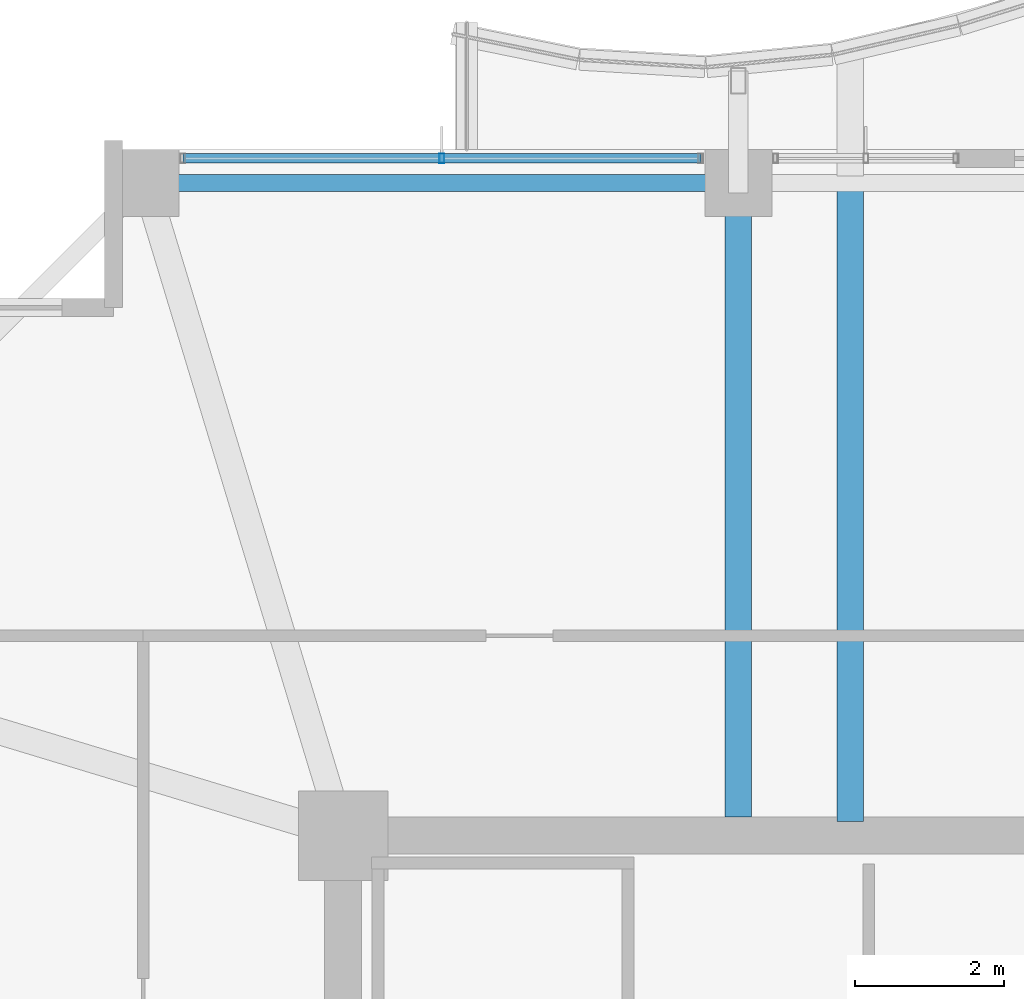
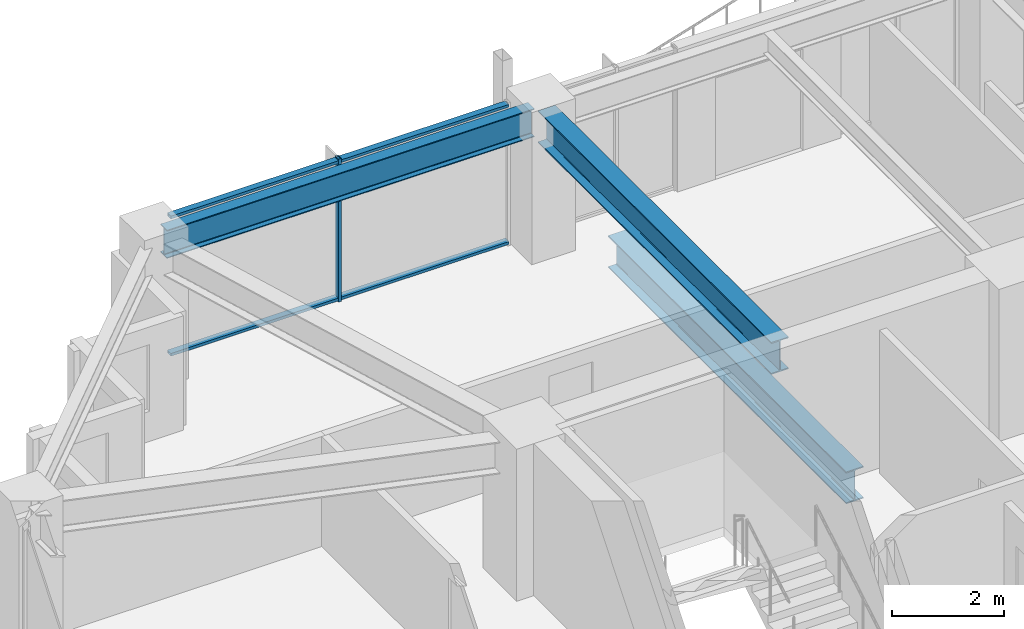
# One storey, part 17 of 34: 3 beams, 3 members, 1 element without a shape of its own.
"""IFC4 building model written with IfcOpenShell, lengths in metres."""

from ifc_helpers import new_model, si_unit, direction, frame, origin, origin_2d, place, context, subcontext, project, spatial, hollow_rectangle, i_section, extrude, material, material_profile, profile_set, type_object, element, aggregate, save


model = new_model("IFC4")

# Units and contexts
model_context = context("Model", 3, precision=1e-05, world=origin(), true_north=direction((0.0, 1.0)))
body_context = subcontext(model_context, "Body", "Model", "MODEL_VIEW")
ifc_project = project(units=[si_unit("LENGTHUNIT", "METRE"), si_unit("AREAUNIT", "SQUARE_METRE"), si_unit("VOLUMEUNIT", "CUBIC_METRE"), si_unit("PLANEANGLEUNIT", "RADIAN"), si_unit("MASSUNIT", "GRAM", prefix="KILO")], contexts=[model_context])

# Site, building, storey
site_placement = place(None, origin())
site = spatial("IfcSite", under=ifc_project, at=site_placement, CompositionType="ELEMENT")
building_placement = place(site_placement, origin())
building = spatial("IfcBuilding", under=site, at=building_placement, Name="Kolvaren Belvedere", CompositionType="ELEMENT")
storey_placement = place(building_placement, frame((0.0, 0.0, 166.800048828125)))
storey = spatial("IfcBuildingStorey", under=building, at=storey_placement, Name="L48", CompositionType="ELEMENT", Elevation=166.800048828125)

# Beams
ifc_material_1 = material(Name="Structural steel ASTM A992 Grade 50", Category="steel")
ifc_material_profile_1 = material_profile(ifc_material_1, i_section(OverallWidth=0.35498046875, OverallDepth=0.696044921875, WebThickness=0.015380859375, FlangeThickness=0.02490234375, FilletRadius=0.02197265625, at=origin_2d()), Name="W27X146")
ifc_profile_set_1 = profile_set([ifc_material_profile_1], Name="Structural steel ASTM A992 Grade 50")
beam_type_1 = type_object("IfcBeamType", Name="BM-GIRD-W27X146", PredefinedType="BEAM", material=ifc_profile_set_1)
beam_1_placement = place(storey_placement, frame((-3.10009765625, 10.090087890625, -0.548095703125), z_axis=(0.0, 1.0, 0.0), x_axis=(-1.0, 0.0, 0.0)))
element("IfcBeam", 1, at=beam_1_placement, inside=storey, type_object=beam_type_1, Name="L48 Balcony Interior Back-Span Girder BAL-N-1", PredefinedType="BEAM", context=body_context, shape_type="SweptSolid", body=[
    extrude(i_section(OverallWidth=0.35498046875, OverallDepth=0.696044921875, WebThickness=0.015380859375, FlangeThickness=0.02490234375, FilletRadius=0.02197265625, at=origin_2d()), origin(), (0.0, 0.0, 1.0), 8.46484375),
])
beam_2_placement = place(storey_placement, frame((-4.60009765625, 10.14990234375, 2.751953125), z_axis=(0.0, 1.0, 0.0), x_axis=(-1.0, 0.0, 0.0)))
element("IfcBeam", 2, at=beam_2_placement, inside=storey, type_object=beam_type_1, Name="L48 North Radial Girder M", PredefinedType="BEAM", context=body_context, shape_type="SweptSolid", body=[
    extrude(i_section(OverallWidth=0.35498046875, OverallDepth=0.696044921875, WebThickness=0.015380859375, FlangeThickness=0.02490234375, FilletRadius=0.02197265625, at=origin_2d()), origin(), (0.0, 0.0, 1.0), 8.297607421875),
])
ifc_material_2 = material(Name="Structural steel ASTM A992 Grade 50", Category="steel")
ifc_material_profile_2 = material_profile(ifc_material_2, i_section(OverallWidth=0.22900390625, OverallDepth=0.612060546875, WebThickness=0.011962890625, FlangeThickness=0.01953125, FilletRadius=0.01806640625, at=origin_2d()), Name="W24X84")
ifc_profile_set_2 = profile_set([ifc_material_profile_2], Name="Structural steel ASTM A992 Grade 50")
beam_type_2 = type_object("IfcBeamType", Name="BM-SPAN-W24X84", PredefinedType="SPANDREL", material=ifc_profile_set_2)
beam_3_placement = place(storey_placement, frame((-4.802490234375, 18.64990234375, 2.7939453125), z_axis=(-1.0, 0.0, 0.0), x_axis=(0.0, -1.0, 0.0)))
element("IfcBeam", 3, at=beam_3_placement, inside=storey, type_object=beam_type_2, Name="L48 Perimeter Spandrel N2-N1", PredefinedType="SPANDREL", context=body_context, shape_type="SweptSolid", body=[
    extrude(i_section(OverallWidth=0.22900390625, OverallDepth=0.612060546875, WebThickness=0.011962890625, FlangeThickness=0.01953125, FilletRadius=0.01806640625, at=origin_2d()), origin(), (0.0, 0.0, 1.0), 7.544921875),
])

# Curtain wall, members
ifc_material_3 = material(Name="Anodised pale-metal aluminium AA 6063-T6", Category="aluminium")
curtain_wall_type = type_object("IfcCurtainWallType", Name="CW-Z3-WAIST", PredefinedType="NOTDEFINED", material=ifc_material_3)
curtain_wall_placement = place(storey_placement, origin())
curtain_wall = element("IfcCurtainWall", 4, at=curtain_wall_placement, inside=storey, type_object=curtain_wall_type, Name="L48 Unitised Curtain Wall FCW-L48-N1-B1", PredefinedType="NOTDEFINED")
ifc_material_4 = material(Name="Anodised pale-metal aluminium AA 6063-T6", Category="aluminium")
ifc_material_profile_3 = material_profile(ifc_material_4, hollow_rectangle(XDim=0.06494140625, YDim=0.1298828125, WallThickness=0.00390625, at=origin_2d()), Name="ALU-MUL-130X65")
ifc_profile_set_3 = profile_set([ifc_material_profile_3], Name="Anodised pale-metal aluminium AA 6063-T6")
member_type_1 = type_object("IfcMemberType", Name="CW-MUL-130", PredefinedType="MULLION", material=ifc_profile_set_3)
member_1_placement = place(storey_placement, frame((-8.574951171875, 18.97998046875, 0.0), z_axis=(0.0, 0.0, 1.0), x_axis=(1.0, 0.0, 0.0)))
member_1 = element("IfcMember", 5, at=member_1_placement, type_object=member_type_1, Name="FCW-L48-N1-B1 Unitised Mullion 2", PredefinedType="MULLION", context=body_context, shape_type="SweptSolid", body=[
    extrude(hollow_rectangle(XDim=0.06494140625, YDim=0.1298828125, WallThickness=0.00390625, at=origin_2d()), origin(), (0.0, 0.0, 1.0), 3.099853515625),
])
ifc_material_5 = material(Name="Anodised pale-metal aluminium AA 6063-T6", Category="aluminium")
ifc_material_profile_4 = material_profile(ifc_material_5, hollow_rectangle(XDim=0.06005859375, YDim=0.1298828125, WallThickness=0.00390625, at=origin_2d()), Name="ALU-TRN-130X60")
ifc_profile_set_4 = profile_set([ifc_material_profile_4], Name="Anodised pale-metal aluminium AA 6063-T6")
member_type_2 = type_object("IfcMemberType", Name="CW-TRN-130", PredefinedType="USERDEFINED", material=ifc_profile_set_4)
member_2_placement = place(storey_placement, frame((-12.047607421875, 18.97998046875, 0.06005859375), z_axis=(1.0, 0.0, 0.0), x_axis=(0.0, 0.0, 1.0)))
member_2 = element("IfcMember", 6, at=member_2_placement, type_object=member_type_2, Name="FCW-L48-N1-B1 Sill Transom", ObjectType="TRANSOM", PredefinedType="USERDEFINED", context=body_context, shape_type="SweptSolid", body=[
    extrude(hollow_rectangle(XDim=0.06005859375, YDim=0.1298828125, WallThickness=0.00390625, at=origin_2d()), origin(), (0.0, 0.0, 1.0), 6.945068359375),
])
member_3_placement = place(storey_placement, frame((-12.047607421875, 18.97998046875, 3.0400390625), z_axis=(1.0, 0.0, 0.0), x_axis=(0.0, 0.0, 1.0)))
member_3 = element("IfcMember", 7, at=member_3_placement, type_object=member_type_2, Name="FCW-L48-N1-B1 Head Transom", ObjectType="TRANSOM", PredefinedType="USERDEFINED", context=body_context, shape_type="SweptSolid", body=[
    extrude(hollow_rectangle(XDim=0.06005859375, YDim=0.1298828125, WallThickness=0.00390625, at=origin_2d()), origin(), (0.0, 0.0, 1.0), 6.945068359375),
])
aggregate(curtain_wall, [member_1, member_2, member_3])

save(model, "model.ifc")
